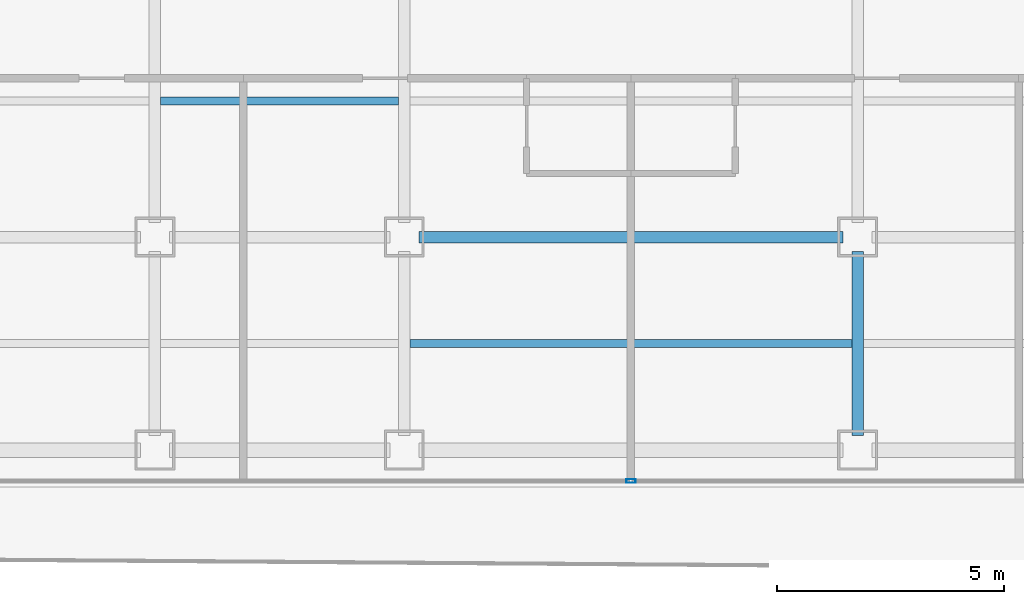
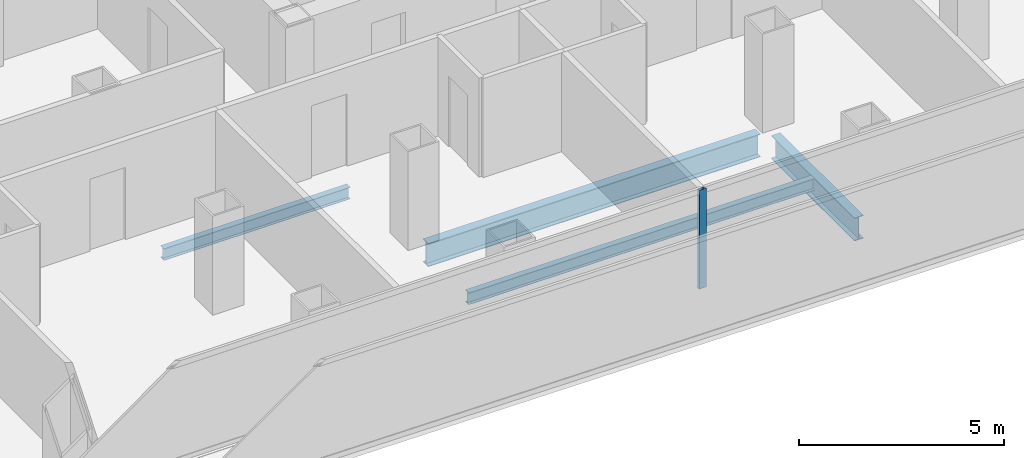
# One storey, part 4 of 21: 4 beams, 1 member, 1 element without a shape of its own.
"""IFC4 building model written with IfcOpenShell, lengths in metres."""

from ifc_helpers import new_model, si_unit, direction, frame, origin, origin_2d, place, context, subcontext, project, spatial, hollow_rectangle, i_section, extrude, source, transform, mapped, material, layer, layer_set, material_profile, profile_set, type_object, element, aggregate, save


model = new_model("IFC4")

# Units and contexts
model_context = context("Model", 3, precision=1e-05, world=origin(), true_north=direction((0.0, 1.0)))
body_context = subcontext(model_context, "Body", "Model", "MODEL_VIEW")
ifc_project = project(units=[si_unit("LENGTHUNIT", "METRE"), si_unit("AREAUNIT", "SQUARE_METRE"), si_unit("VOLUMEUNIT", "CUBIC_METRE"), si_unit("PLANEANGLEUNIT", "RADIAN"), si_unit("MASSUNIT", "GRAM", prefix="KILO")], contexts=[model_context])

# Site, building, storey
site_placement = place(None, origin())
site = spatial("IfcSite", under=ifc_project, at=site_placement, CompositionType="ELEMENT")
building_placement = place(site_placement, origin())
building = spatial("IfcBuilding", under=site, at=building_placement, Name="Kolveth Station Tower", CompositionType="ELEMENT")
storey_placement = place(building_placement, frame((0.0, 0.0, 105.5)))
storey = spatial("IfcBuildingStorey", under=building, at=storey_placement, Name="L28", CompositionType="ELEMENT", Elevation=105.5)

# Beams
ifc_material_1 = material(Name="Steel S355", Category="steel")
ifc_material_profile_1 = material_profile(ifc_material_1, i_section(OverallWidth=0.25390625, OverallDepth=0.68798828125, WebThickness=0.01318359375, FlangeThickness=0.02099609375, at=origin_2d()), Name="W690x152")
ifc_profile_set_1 = profile_set([ifc_material_profile_1], Name="Steel S355")
beam_type_1 = type_object("IfcBeamType", Name="Beam_B4", PredefinedType="BEAM", material=ifc_profile_set_1)
shared_shape_1 = source(origin(), body_context, "Body", "SweptSolid", [
    extrude(i_section(OverallWidth=0.25390625, OverallDepth=0.68798828125, WebThickness=0.01318359375, FlangeThickness=0.02099609375, at=origin_2d()), origin(), (0.0, 0.0, 1.0), 9.35986328125),
])
beam_1_placement = place(storey_placement, frame((18.820068359375, 5.5, -0.593994140625), z_axis=(1.0, 0.0, 0.0), x_axis=(0.0, 1.0, 0.0)))
element("IfcBeam", 1, at=beam_1_placement, inside=storey, type_object=beam_type_1, Name="L28 Primary Girder BM-L28-GY55-4", PredefinedType="BEAM", context=body_context, shape_type="MappedRepresentation", body=[
    mapped(shared_shape_1, transform((0.0, 0.0, 0.0), x_axis=(1.0, 0.0, 0.0), y_axis=(0.0, 1.0, 0.0), z_axis=(0.0, 0.0, 1.0), scale=1.0)),
])
shared_shape_2 = source(origin(), body_context, "Body", "SweptSolid", [
    extrude(i_section(OverallWidth=0.25390625, OverallDepth=0.68798828125, WebThickness=0.01318359375, FlangeThickness=0.02099609375, at=origin_2d()), origin(), (0.0, 0.0, 1.0), 4.059814453125),
])
beam_2_placement = place(storey_placement, frame((28.5, 1.1201171875, -0.593994140625), z_axis=(0.0, 1.0, 0.0), x_axis=(-1.0, 0.0, 0.0)))
element("IfcBeam", 2, at=beam_2_placement, inside=storey, type_object=beam_type_1, Name="L28 Primary Girder BM-L28-GX285-1", PredefinedType="BEAM", context=body_context, shape_type="MappedRepresentation", body=[
    mapped(shared_shape_2, transform((0.0, 0.0, 0.0), x_axis=(1.0, 0.0, 0.0), y_axis=(0.0, 1.0, 0.0), z_axis=(0.0, 0.0, 1.0), scale=1.0)),
])
ifc_material_profile_2 = material_profile(ifc_material_1, i_section(OverallWidth=0.1708984375, OverallDepth=0.35205078125, WebThickness=0.0068359375, FlangeThickness=0.009765625, at=origin_2d()), Name="W360x44")
ifc_profile_set_2 = profile_set([ifc_material_profile_2], Name="Steel S355")
beam_type_2 = type_object("IfcBeamType", Name="Beam_J2", PredefinedType="JOIST", material=ifc_profile_set_2)
shared_shape_3 = source(origin(), body_context, "Body", "SweptSolid", [
    extrude(i_section(OverallWidth=0.1708984375, OverallDepth=0.35205078125, WebThickness=0.0068359375, FlangeThickness=0.009765625, at=origin_2d()), origin(), (0.0, 0.0, 1.0), 5.25),
])
beam_3_placement = place(storey_placement, frame((13.125, 8.5, -0.426025390625), z_axis=(1.0, 0.0, 0.0), x_axis=(0.0, 1.0, 0.0)))
element("IfcBeam", 3, at=beam_3_placement, inside=storey, type_object=beam_type_2, Name="L28 Secondary Joist JST-L28-3-2", PredefinedType="JOIST", context=body_context, shape_type="MappedRepresentation", body=[
    mapped(shared_shape_3, transform((0.0, 0.0, 0.0), x_axis=(1.0, 0.0, 0.0), y_axis=(0.0, 1.0, 0.0), z_axis=(0.0, 0.0, 1.0), scale=1.0)),
])
shared_shape_4 = source(origin(), body_context, "Body", "SweptSolid", [
    extrude(i_section(OverallWidth=0.1708984375, OverallDepth=0.35205078125, WebThickness=0.0068359375, FlangeThickness=0.009765625, at=origin_2d()), origin(), (0.0, 0.0, 1.0), 9.75),
])
beam_4_placement = place(storey_placement, frame((18.625, 3.14990234375, -0.426025390625), z_axis=(1.0, 0.0, 0.0), x_axis=(0.0, 1.0, 0.0)))
element("IfcBeam", 4, at=beam_4_placement, inside=storey, type_object=beam_type_2, Name="L28 Secondary Joist JST-L28-4-1", PredefinedType="JOIST", context=body_context, shape_type="MappedRepresentation", body=[
    mapped(shared_shape_4, transform((0.0, 0.0, 0.0), x_axis=(1.0, 0.0, 0.0), y_axis=(0.0, 1.0, 0.0), z_axis=(0.0, 0.0, 1.0), scale=1.0)),
])

# Curtain wall, member
ifc_material_2 = material(Name="Aluminium 6063-T6 and low-E dark glass", Category="aluminium")
ifc_layer = layer(ifc_material_2, 0.18994140625)
ifc_layer_set = layer_set([ifc_layer], Name="Aluminium 6063-T6 and low-E dark glass")
curtain_wall_type = type_object("IfcCurtainWallType", Name="CurtainWall_CW-Z2", PredefinedType="NOTDEFINED", material=ifc_layer_set)
curtain_wall_placement = place(storey_placement, origin())
curtain_wall = element("IfcCurtainWall", 5, at=curtain_wall_placement, inside=storey, type_object=curtain_wall_type, Name="L28 Inner Thermal Curtain Wall 12", PredefinedType="NOTDEFINED")
ifc_material_3 = material(Name="Black anodized aluminium 6063-T6", Category="aluminium")
ifc_material_profile_3 = material_profile(ifc_material_3, hollow_rectangle(XDim=0.080078125, YDim=0.199951171875, WallThickness=0.0048828125, at=origin_2d()), Name="ALU-80x200x5")
ifc_profile_set_3 = profile_set([ifc_material_profile_3], Name="Black anodized aluminium 6063-T6")
member_type = type_object("IfcMemberType", Name="Mullion_ML2", PredefinedType="MULLION", material=ifc_profile_set_3)
shared_shape_5 = source(origin(), body_context, "Body", "SweptSolid", [
    extrude(hollow_rectangle(XDim=0.080078125, YDim=0.199951171875, WallThickness=0.0048828125, at=origin_2d()), origin(), (0.0, 0.0, 1.0), 2.949951171875),
])
member_placement = place(storey_placement, frame((23.5, 0.1201171875, 0.0), z_axis=(0.0, 0.0, 1.0), x_axis=(0.0, 1.0, 0.0)))
member = element("IfcMember", 6, at=member_placement, type_object=member_type, Name="CW-Z2 mullion 2", PredefinedType="MULLION", context=body_context, shape_type="MappedRepresentation", body=[
    mapped(shared_shape_5, transform((0.0, 0.0, 0.0), x_axis=(1.0, 0.0, 0.0), y_axis=(0.0, 1.0, 0.0), z_axis=(0.0, 0.0, 1.0), scale=1.0)),
])
aggregate(curtain_wall, [member])

save(model, "model.ifc")
